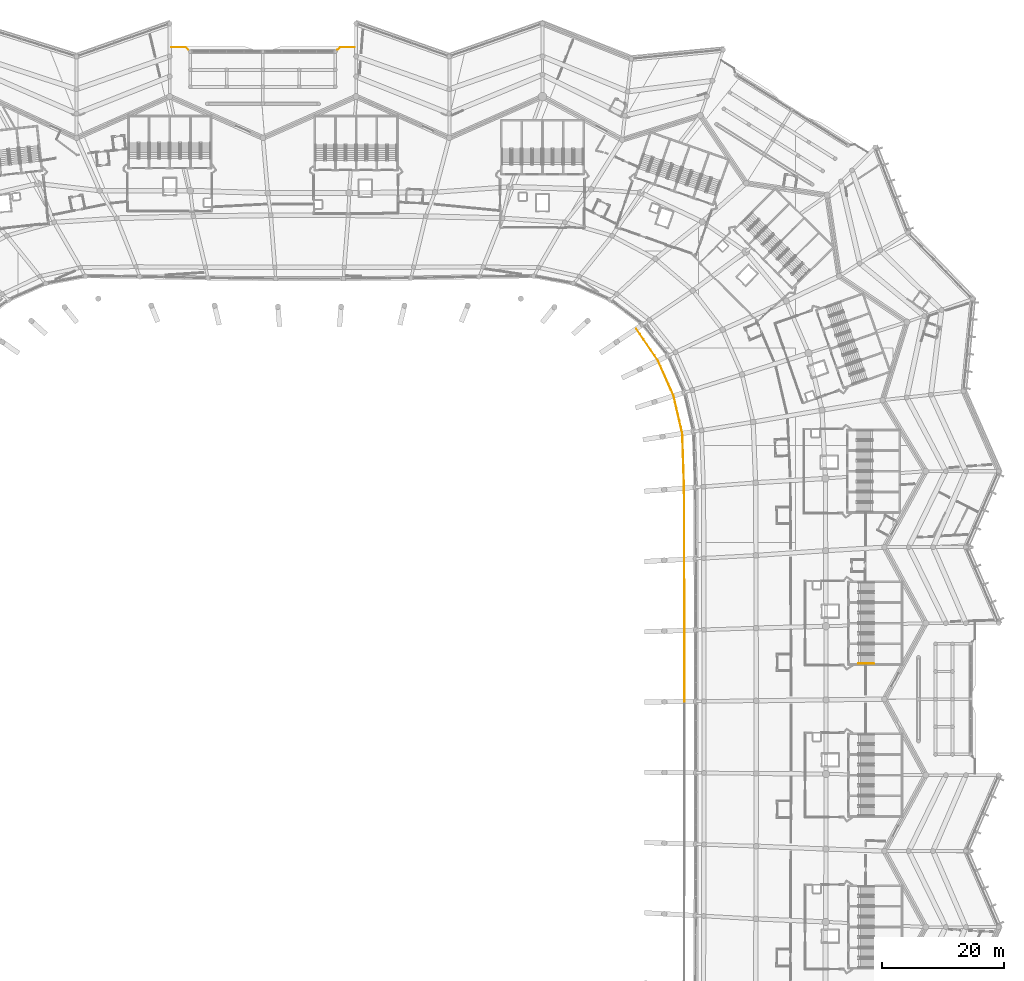
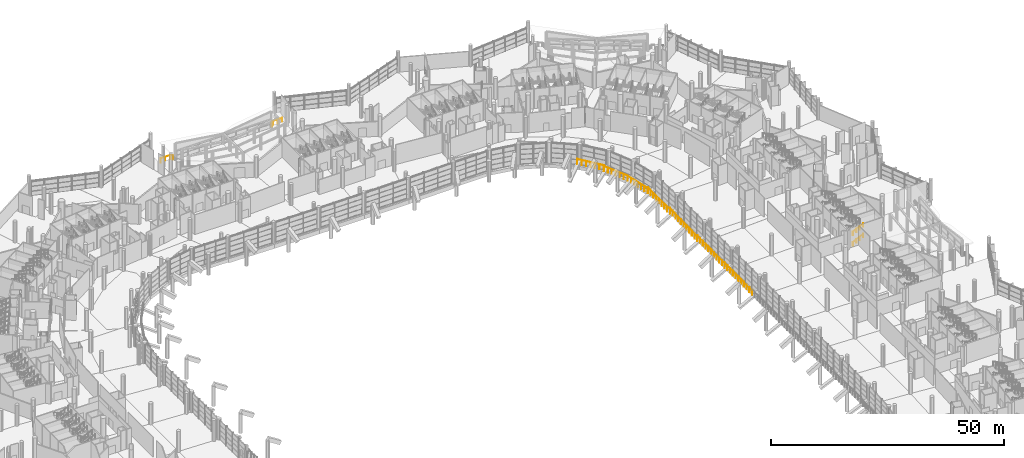
# One storey, part 261 of 271: 11 railings.
"""IFC4 building model written with IfcOpenShell, lengths in metres."""

from ifc_helpers import new_model, si_unit, direction, frame, origin, origin_2d, place, context, subcontext, project, spatial, circle, extrude, material, type_object, element, save


model = new_model("IFC4")

# Units and contexts
model_context = context("Model", 3, precision=1e-05, world=origin(), true_north=direction((0.0, 1.0)))
body_context = subcontext(model_context, "Body", "Model", "MODEL_VIEW")
ifc_project = project(units=[si_unit("LENGTHUNIT", "METRE"), si_unit("AREAUNIT", "SQUARE_METRE"), si_unit("VOLUMEUNIT", "CUBIC_METRE"), si_unit("PLANEANGLEUNIT", "RADIAN"), si_unit("MASSUNIT", "GRAM", prefix="KILO")], contexts=[model_context])

# Site, building, storey
site_placement = place(None, origin())
site = spatial("IfcSite", under=ifc_project, at=site_placement, CompositionType="ELEMENT")
building_placement = place(site_placement, origin())
building = spatial("IfcBuilding", under=site, at=building_placement, Name="Meseta Stadium", CompositionType="ELEMENT")
storey_placement = place(building_placement, frame((0.0, 0.0, 6.5)))
storey = spatial("IfcBuildingStorey", under=building, at=storey_placement, Name="L01", CompositionType="ELEMENT", Elevation=6.5)

# Railings
ifc_material_1 = material(Name="Steel S355", Category="steel")
railing_type_1 = type_object("IfcRailingType", Name="Plate edge guard 1100", PredefinedType="GUARDRAIL", material=ifc_material_1)
railing_1_placement = place(storey_placement, frame((-22.75, 113.5, 0.0)))
element("IfcRailing", 1, at=railing_1_placement, inside=storey, type_object=railing_type_1, Name="Gate hall edge guard 3", PredefinedType="GUARDRAIL", context=body_context, shape_type="SweptSolid", body=[
    extrude(circle(Radius=0.02490234375, at=origin_2d()), frame((0.0, 0.0, 1.0751953125), z_axis=(1.0, 0.0, 0.0), x_axis=(0.0, 1.0, 0.0)), (0.0, 0.0, 1.0), 2.34130859375),
    extrude(circle(Radius=0.02490234375, at=origin_2d()), frame((2.34130859375, 0.0, 1.0751953125), z_axis=(0.747626604113, -0.664119312189, 0.0), x_axis=(0.664119312189, 0.747626604113, 0.0)), (0.0, 0.0, 1.0), 0.619873046875),
    extrude(circle(Radius=0.02001953125, at=origin_2d()), origin(), (0.0, 0.0, 1.0), 1.050048828125),
    extrude(circle(Radius=0.02001953125, at=origin_2d()), frame((1.170654296875, 0.0, 0.0)), (0.0, 0.0, 1.0), 1.050048828125),
    extrude(circle(Radius=0.02001953125, at=origin_2d()), frame((2.34130859375, 0.0, 0.0)), (0.0, 0.0, 1.0), 1.050048828125),
    extrude(circle(Radius=0.02001953125, at=origin_2d()), frame((2.8046875, -0.41162109375, 0.0)), (0.0, 0.0, 1.0), 1.050048828125),
])
railing_2_placement = place(storey_placement, frame((4.612060546875, 113.08837890625, 0.0)))
element("IfcRailing", 2, at=railing_2_placement, inside=storey, type_object=railing_type_1, Name="Gate hall edge guard 4", PredefinedType="GUARDRAIL", context=body_context, shape_type="SweptSolid", body=[
    extrude(circle(Radius=0.02490234375, at=origin_2d()), frame((0.0, 0.0, 1.0751953125), z_axis=(0.747452794969, 0.664314924785, 0.0), x_axis=(-0.664314924785, 0.747452794969, 0.0)), (0.0, 0.0, 1.0), 0.61962890625),
    extrude(circle(Radius=0.02490234375, at=origin_2d()), frame((0.463134765625, 0.41162109375, 1.0751953125), z_axis=(1.0, 0.0, 0.0), x_axis=(0.0, 1.0, 0.0)), (0.0, 0.0, 1.0), 2.341552734375),
    extrude(circle(Radius=0.02001953125, at=origin_2d()), origin(), (0.0, 0.0, 1.0), 1.050048828125),
    extrude(circle(Radius=0.02001953125, at=origin_2d()), frame((0.463134765625, 0.41162109375, 0.0)), (0.0, 0.0, 1.0), 1.050048828125),
    extrude(circle(Radius=0.02001953125, at=origin_2d()), frame((1.6337890625, 0.41162109375, 0.0)), (0.0, 0.0, 1.0), 1.050048828125),
    extrude(circle(Radius=0.02001953125, at=origin_2d()), frame((2.8046875, 0.41162109375, 0.0)), (0.0, 0.0, 1.0), 1.050048828125),
])
ifc_material_2 = material(Name="Steel S355", Category="steel")
railing_type_2 = type_object("IfcRailingType", Name="Stair handrail 900", PredefinedType="HANDRAIL", material=ifc_material_2)
for number, where, name in (
    (3, (90.300048828125, 12.10009765625, 0.15283203125), "ST13 L01 handrail 1"),
    (4, (90.300048828125, 12.10009765625, 2.90283203125), "ST13 L01 handrail 3"),
):
    element("IfcRailing", number, at=place(storey_placement, frame(where)), inside=storey, type_object=railing_type_2, Name=name, PredefinedType="HANDRAIL", context=body_context, shape_type="SweptSolid", body=[
        extrude(circle(Radius=0.02392578125, at=origin_2d()), frame((0.0, 0.0, 0.8759765625), z_axis=(0.902436934422, 0.0, 0.430821981091), x_axis=(0.0, 1.0, 0.0)), (0.0, 0.0, 1.0), 2.8369140625),
        extrude(circle(Radius=0.02099609375, at=origin_2d()), origin(), (0.0, 0.0, 1.0), 0.851806640625),
        extrude(circle(Radius=0.02099609375, at=origin_2d()), frame((0.853271484375, 0.0, 0.407470703125)), (0.0, 0.0, 1.0), 0.851806640625),
        extrude(circle(Radius=0.02099609375, at=origin_2d()), frame((1.706787109375, 0.0, 0.814697265625)), (0.0, 0.0, 1.0), 0.851806640625),
        extrude(circle(Radius=0.02099609375, at=origin_2d()), frame((2.56005859375, 0.0, 1.22216796875)), (0.0, 0.0, 1.0), 0.851806640625),
    ])
ifc_material_3 = material(Name="Steel S355", Category="steel")
railing_type_3 = type_object("IfcRailingType", Name="Stand rear guard 1300", PredefinedType="GUARDRAIL", material=ifc_material_3)
railing_3_placement = place(storey_placement, frame((61.69873046875, 5.85205078125, 0.993408203125)))
element("IfcRailing", 5, at=railing_3_placement, inside=storey, type_object=railing_type_3, Name="Stand lower tier rear guard bay 06", PredefinedType="GUARDRAIL", context=body_context, shape_type="SweptSolid", body=[
    extrude(circle(Radius=0.02490234375, at=origin_2d()), frame((0.0, 0.0, 1.27490234375), z_axis=(-0.000855221537, 0.999941708545, 0.010763275932), x_axis=(-0.999999634256, -0.000855271079, 0.0)), (0.0, 0.0, 1.0), 11.704345703125),
    extrude(circle(Radius=0.02001953125, at=origin_2d()), origin(), (0.0, 0.0, 1.0), 1.25),
    extrude(circle(Radius=0.02001953125, at=origin_2d()), frame((-0.0009765625, 1.17041015625, 0.0126953125)), (0.0, 0.0, 1.0), 1.25),
    extrude(circle(Radius=0.02001953125, at=origin_2d()), frame((-0.001953125, 2.3408203125, 0.025146484375)), (0.0, 0.0, 1.0), 1.25),
    extrude(circle(Radius=0.02001953125, at=origin_2d()), frame((-0.0029296875, 3.510986328125, 0.037841796875)), (0.0, 0.0, 1.0), 1.25),
    extrude(circle(Radius=0.02001953125, at=origin_2d()), frame((-0.00390625, 4.681396484375, 0.05029296875)), (0.0, 0.0, 1.0), 1.25),
    extrude(circle(Radius=0.02001953125, at=origin_2d()), frame((-0.0048828125, 5.851806640625, 0.06298828125)), (0.0, 0.0, 1.0), 1.25),
    extrude(circle(Radius=0.02001953125, at=origin_2d()), frame((-0.006103515625, 7.022216796875, 0.07568359375)), (0.0, 0.0, 1.0), 1.25),
    extrude(circle(Radius=0.02001953125, at=origin_2d()), frame((-0.007080078125, 8.192626953125, 0.088134765625)), (0.0, 0.0, 1.0), 1.25),
    extrude(circle(Radius=0.02001953125, at=origin_2d()), frame((-0.008056640625, 9.36279296875, 0.100830078125)), (0.0, 0.0, 1.0), 1.25),
    extrude(circle(Radius=0.02001953125, at=origin_2d()), frame((-0.009033203125, 10.533203125, 0.11328125)), (0.0, 0.0, 1.0), 1.25),
    extrude(circle(Radius=0.02001953125, at=origin_2d()), frame((-0.010009765625, 11.70361328125, 0.1259765625)), (0.0, 0.0, 1.0), 1.25),
])
railing_4_placement = place(storey_placement, frame((61.688720703125, 17.5556640625, 0.9306640625)))
element("IfcRailing", 6, at=railing_4_placement, inside=storey, type_object=railing_type_3, Name="Stand lower tier rear guard bay 07", PredefinedType="GUARDRAIL", context=body_context, shape_type="SweptSolid", body=[
    extrude(circle(Radius=0.02490234375, at=origin_2d()), frame((0.0, 0.0, 1.27490234375), z_axis=(-0.001689431111, 0.999767788681, 0.021482889438), x_axis=(-0.999998572251, -0.001689821095, 0.0)), (0.0, 0.0, 1.0), 11.705322265625),
    extrude(circle(Radius=0.02001953125, at=origin_2d()), origin(), (0.0, 0.0, 1.0), 1.25),
    extrude(circle(Radius=0.02001953125, at=origin_2d()), frame((-0.001953125, 1.170166015625, 0.025146484375)), (0.0, 0.0, 1.0), 1.25),
    extrude(circle(Radius=0.02001953125, at=origin_2d()), frame((-0.00390625, 2.340576171875, 0.05029296875)), (0.0, 0.0, 1.0), 1.25),
    extrude(circle(Radius=0.02001953125, at=origin_2d()), frame((-0.005859375, 3.5107421875, 0.075439453125)), (0.0, 0.0, 1.0), 1.25),
    extrude(circle(Radius=0.02001953125, at=origin_2d()), frame((-0.0078125, 4.68115234375, 0.1005859375)), (0.0, 0.0, 1.0), 1.25),
    extrude(circle(Radius=0.02001953125, at=origin_2d()), frame((-0.009765625, 5.851318359375, 0.125732421875)), (0.0, 0.0, 1.0), 1.25),
    extrude(circle(Radius=0.02001953125, at=origin_2d()), frame((-0.011962890625, 7.021484375, 0.15087890625)), (0.0, 0.0, 1.0), 1.25),
    extrude(circle(Radius=0.02001953125, at=origin_2d()), frame((-0.013916015625, 8.19189453125, 0.176025390625)), (0.0, 0.0, 1.0), 1.25),
    extrude(circle(Radius=0.02001953125, at=origin_2d()), frame((-0.015869140625, 9.362060546875, 0.201171875)), (0.0, 0.0, 1.0), 1.25),
    extrude(circle(Radius=0.02001953125, at=origin_2d()), frame((-0.017822265625, 10.532470703125, 0.226318359375)), (0.0, 0.0, 1.0), 1.25),
    extrude(circle(Radius=0.02001953125, at=origin_2d()), frame((-0.019775390625, 11.70263671875, 0.25146484375)), (0.0, 0.0, 1.0), 1.25),
])
railing_5_placement = place(storey_placement, frame((61.6689453125, 29.25830078125, 0.867919921875)))
element("IfcRailing", 7, at=railing_5_placement, inside=storey, type_object=railing_type_3, Name="Stand lower tier rear guard bay 08", PredefinedType="GUARDRAIL", context=body_context, shape_type="SweptSolid", body=[
    extrude(circle(Radius=0.02490234375, at=origin_2d()), frame((0.0, 0.0, 1.27490234375), z_axis=(-0.002523357505, 0.999478968055, 0.032178021735), x_axis=(-0.999996813029, -0.002524664894, 0.0)), (0.0, 0.0, 1.0), 11.70703125),
    extrude(circle(Radius=0.02001953125, at=origin_2d()), origin(), (0.0, 0.0, 1.0), 1.25),
    extrude(circle(Radius=0.02001953125, at=origin_2d()), frame((-0.0029296875, 1.170166015625, 0.03759765625)), (0.0, 0.0, 1.0), 1.25),
    extrude(circle(Radius=0.02001953125, at=origin_2d()), frame((-0.005859375, 2.340087890625, 0.075439453125)), (0.0, 0.0, 1.0), 1.25),
    extrude(circle(Radius=0.02001953125, at=origin_2d()), frame((-0.0087890625, 3.51025390625, 0.113037109375)), (0.0, 0.0, 1.0), 1.25),
    extrude(circle(Radius=0.02001953125, at=origin_2d()), frame((-0.01171875, 4.680419921875, 0.150634765625)), (0.0, 0.0, 1.0), 1.25),
    extrude(circle(Radius=0.02001953125, at=origin_2d()), frame((-0.0146484375, 5.8505859375, 0.1884765625)), (0.0, 0.0, 1.0), 1.25),
    extrude(circle(Radius=0.02001953125, at=origin_2d()), frame((-0.017822265625, 7.0205078125, 0.22607421875)), (0.0, 0.0, 1.0), 1.25),
    extrude(circle(Radius=0.02001953125, at=origin_2d()), frame((-0.020751953125, 8.190673828125, 0.263671875)), (0.0, 0.0, 1.0), 1.25),
    extrude(circle(Radius=0.02001953125, at=origin_2d()), frame((-0.023681640625, 9.36083984375, 0.30126953125)), (0.0, 0.0, 1.0), 1.25),
    extrude(circle(Radius=0.02001953125, at=origin_2d()), frame((-0.026611328125, 10.53076171875, 0.339111328125)), (0.0, 0.0, 1.0), 1.25),
    extrude(circle(Radius=0.02001953125, at=origin_2d()), frame((-0.029541015625, 11.700927734375, 0.376708984375)), (0.0, 0.0, 1.0), 1.25),
])
railing_6_placement = place(storey_placement, frame((61.639404296875, 40.959228515625, 0.85205078125)))
element("IfcRailing", 8, at=railing_6_placement, inside=storey, type_object=railing_type_3, Name="Stand lower tier rear guard bay 09", PredefinedType="GUARDRAIL", context=body_context, shape_type="SweptSolid", body=[
    extrude(circle(Radius=0.02490234375, at=origin_2d()), frame((0.0, 0.0, 1.27490234375), z_axis=(-0.032921329146, 0.998514462974, 0.043417200723), x_axis=(-0.999456922124, -0.032952402314, 0.0)), (0.0, 0.0, 1.0), 9.025146484375),
    extrude(circle(Radius=0.02001953125, at=origin_2d()), origin(), (0.0, 0.0, 1.0), 1.25),
    extrude(circle(Radius=0.02001953125, at=origin_2d()), frame((-0.037109375, 1.12646484375, 0.049072265625)), (0.0, 0.0, 1.0), 1.25),
    extrude(circle(Radius=0.02001953125, at=origin_2d()), frame((-0.07421875, 2.2529296875, 0.097900390625)), (0.0, 0.0, 1.0), 1.25),
    extrude(circle(Radius=0.02001953125, at=origin_2d()), frame((-0.111328125, 3.37939453125, 0.14697265625)), (0.0, 0.0, 1.0), 1.25),
    extrude(circle(Radius=0.02001953125, at=origin_2d()), frame((-0.1484375, 4.505859375, 0.19580078125)), (0.0, 0.0, 1.0), 1.25),
    extrude(circle(Radius=0.02001953125, at=origin_2d()), frame((-0.185791015625, 5.63232421875, 0.244873046875)), (0.0, 0.0, 1.0), 1.25),
    extrude(circle(Radius=0.02001953125, at=origin_2d()), frame((-0.222900390625, 6.7587890625, 0.2939453125)), (0.0, 0.0, 1.0), 1.25),
    extrude(circle(Radius=0.02001953125, at=origin_2d()), frame((-0.260009765625, 7.88525390625, 0.3427734375)), (0.0, 0.0, 1.0), 1.25),
    extrude(circle(Radius=0.02001953125, at=origin_2d()), frame((-0.297119140625, 9.01171875, 0.391845703125)), (0.0, 0.0, 1.0), 1.25),
])
railing_7_placement = place(storey_placement, frame((61.34228515625, 49.970947265625, 1.023193359375)))
element("IfcRailing", 9, at=railing_7_placement, inside=storey, type_object=railing_type_3, Name="Stand lower tier rear guard bay 10", PredefinedType="GUARDRAIL", context=body_context, shape_type="SweptSolid", body=[
    extrude(circle(Radius=0.02490234375, at=origin_2d()), frame((0.0, 0.0, 1.27490234375), z_axis=(-0.225891088366, 0.974150505012, 0.002002444016), x_axis=(-0.974152458083, -0.225891541255, 0.0)), (0.0, 0.0, 1.0), 6.33984375),
    extrude(circle(Radius=0.02001953125, at=origin_2d()), origin(), (0.0, 0.0, 1.0), 1.25),
    extrude(circle(Radius=0.02001953125, at=origin_2d()), frame((-0.23876953125, 1.029296875, 0.002197265625)), (0.0, 0.0, 1.0), 1.25),
    extrude(circle(Radius=0.02001953125, at=origin_2d()), frame((-0.477294921875, 2.05859375, 0.004150390625)), (0.0, 0.0, 1.0), 1.25),
    extrude(circle(Radius=0.02001953125, at=origin_2d()), frame((-0.716064453125, 3.087890625, 0.00634765625)), (0.0, 0.0, 1.0), 1.25),
    extrude(circle(Radius=0.02001953125, at=origin_2d()), frame((-0.954833984375, 4.117431640625, 0.008544921875)), (0.0, 0.0, 1.0), 1.25),
    extrude(circle(Radius=0.02001953125, at=origin_2d()), frame((-1.193359375, 5.146728515625, 0.010498046875)), (0.0, 0.0, 1.0), 1.25),
    extrude(circle(Radius=0.02001953125, at=origin_2d()), frame((-1.43212890625, 6.176025390625, 0.0126953125)), (0.0, 0.0, 1.0), 1.25),
])
railing_8_placement = place(storey_placement, frame((59.91015625, 56.14697265625, 1.09228515625)))
element("IfcRailing", 10, at=railing_8_placement, inside=storey, type_object=railing_type_3, Name="Stand lower tier rear guard bay 11", PredefinedType="GUARDRAIL", context=body_context, shape_type="SweptSolid", body=[
    extrude(circle(Radius=0.02490234375, at=origin_2d()), frame((0.0, 0.0, 1.27490234375), z_axis=(-0.402695607316, 0.915119320954, -0.019821106544), x_axis=(-0.915299138271, -0.402774735405, 0.0)), (0.0, 0.0, 1.0), 6.34326171875),
    extrude(circle(Radius=0.02001953125, at=origin_2d()), origin(), (0.0, 0.0, 1.0), 1.25),
    extrude(circle(Radius=0.02001953125, at=origin_2d()), frame((-0.42578125, 0.967529296875, -0.02099609375)), (0.0, 0.0, 1.0), 1.25),
    extrude(circle(Radius=0.02001953125, at=origin_2d()), frame((-0.8515625, 1.93505859375, -0.0419921875)), (0.0, 0.0, 1.0), 1.25),
    extrude(circle(Radius=0.02001953125, at=origin_2d()), frame((-1.27734375, 2.90234375, -0.06298828125)), (0.0, 0.0, 1.0), 1.25),
    extrude(circle(Radius=0.02001953125, at=origin_2d()), frame((-1.702880859375, 3.869873046875, -0.083740234375)), (0.0, 0.0, 1.0), 1.25),
    extrude(circle(Radius=0.02001953125, at=origin_2d()), frame((-2.128662109375, 4.83740234375, -0.104736328125)), (0.0, 0.0, 1.0), 1.25),
    extrude(circle(Radius=0.02001953125, at=origin_2d()), frame((-2.554443359375, 5.804931640625, -0.125732421875)), (0.0, 0.0, 1.0), 1.25),
])
railing_9_placement = place(storey_placement, frame((57.355712890625, 61.951904296875, 1.16015625)))
element("IfcRailing", 11, at=railing_9_placement, inside=storey, type_object=railing_type_3, Name="Stand lower tier rear guard bay 12", PredefinedType="GUARDRAIL", context=body_context, shape_type="SweptSolid", body=[
    extrude(circle(Radius=0.02490234375, at=origin_2d()), frame((0.0, 0.0, 1.27490234375), z_axis=(-0.565232765198, 0.82389925795, -0.041254501517), x_axis=(-0.824601265192, -0.565714374437, 0.0)), (0.0, 0.0, 1.0), 6.35595703125),
    extrude(circle(Radius=0.02001953125, at=origin_2d()), origin(), (0.0, 0.0, 1.0), 1.25),
    extrude(circle(Radius=0.02001953125, at=origin_2d()), frame((-0.5986328125, 0.872802734375, -0.043701171875)), (0.0, 0.0, 1.0), 1.25),
    extrude(circle(Radius=0.02001953125, at=origin_2d()), frame((-1.197509765625, 1.74560546875, -0.08740234375)), (0.0, 0.0, 1.0), 1.25),
    extrude(circle(Radius=0.02001953125, at=origin_2d()), frame((-1.79638671875, 2.6181640625, -0.131103515625)), (0.0, 0.0, 1.0), 1.25),
    extrude(circle(Radius=0.02001953125, at=origin_2d()), frame((-2.39501953125, 3.490966796875, -0.1748046875)), (0.0, 0.0, 1.0), 1.25),
    extrude(circle(Radius=0.02001953125, at=origin_2d()), frame((-2.99365234375, 4.36376953125, -0.218505859375)), (0.0, 0.0, 1.0), 1.25),
    extrude(circle(Radius=0.02001953125, at=origin_2d()), frame((-3.592529296875, 5.236572265625, -0.26220703125)), (0.0, 0.0, 1.0), 1.25),
])

save(model, "model.ifc")
